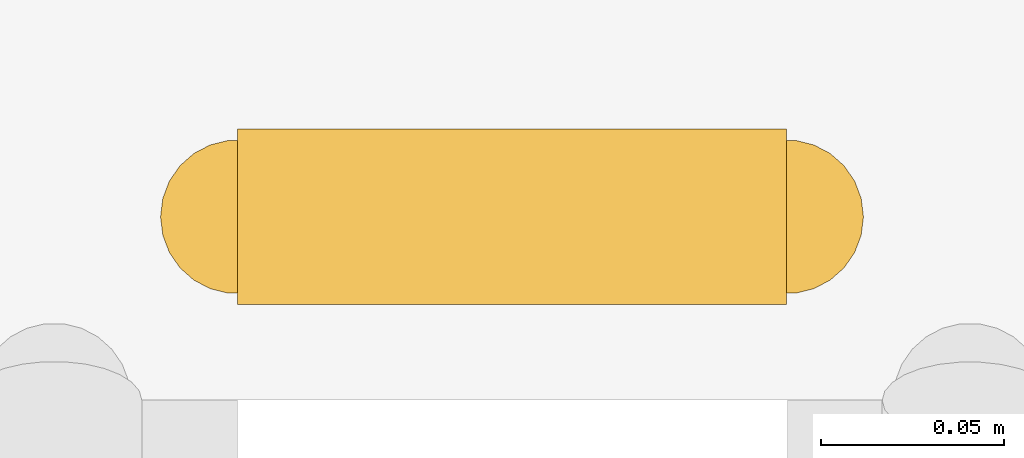
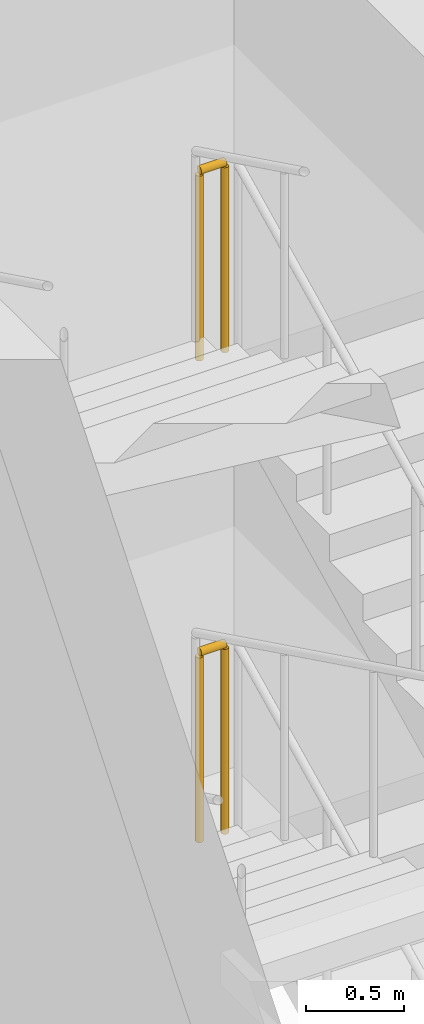
# One storey, part 19 of 20: 2 railings.
"""IFC4 building model written with IfcOpenShell, lengths in metres."""

import ifcopenshell
import ifcopenshell.guid

model = None  # the IFC model being written
_history = None  # IfcOwnerHistory: only IFC2X3 demands one
_inside = {}  # id of a spatial element -> (the spatial element, [elements in it])
_under = {}  # id of a project, library or spatial element -> (it, [spatial elements below it])
_declared = {}  # id of a project -> (the project, [libraries it declares])
_typed = {}  # id of a type object -> (the type object, [elements of that type])
_made_of = {}  # id of a material, layer set ... -> (it, [elements and type objects made of it])


def new_model(schema):
    """Start an empty IFC model of exactly this schema.

    Asked for "IFC4X3", IfcOpenShell would pick the latest addendum, in which some entities
    have other attributes; the version numbers below select the first issue.
    IFC2X3 requires an IfcOwnerHistory on every rooted entity: one is made here for all.
    """
    global model, _history
    if schema == "IFC4X3":
        model = ifcopenshell.file(schema_version=(4, 3, 0, 0))
    else:
        model = ifcopenshell.file(schema=schema)
    _inside.clear()
    _under.clear()
    _declared.clear()
    _typed.clear()
    _made_of.clear()
    _history = None
    if model.schema == "IFC2X3":
        org = make("IfcOrganization", Name="unknown")
        user = make(
            "IfcPersonAndOrganization",
            ThePerson=make("IfcPerson", FamilyName="unknown"),
            TheOrganization=org,
        )
        app = make(
            "IfcApplication",
            ApplicationDeveloper=org,
            Version="unknown",
            ApplicationFullName="unknown",
            ApplicationIdentifier="unknown",
        )
        _history = make(
            "IfcOwnerHistory",
            OwningUser=user,
            OwningApplication=app,
            ChangeAction="ADDED",
            CreationDate=0,
        )
    return model


def make(cls, **values):
    """One entity of the class cls with the attributes given. An attribute that is None is left unset."""
    return model.create_entity(
        cls, **{name: value for name, value in values.items() if value is not None}
    )


def rooted(cls, **values):
    """An entity with a GlobalId (a new one), such as an element, a storey or a relation."""
    return make(cls, GlobalId=ifcopenshell.guid.new(), OwnerHistory=_history, **values)


def si_unit(unit_type, name, prefix=None):
    """IfcSIUnit, for example si_unit("LENGTHUNIT", "METRE", prefix="MILLI")."""
    return make("IfcSIUnit", UnitType=unit_type, Prefix=prefix, Name=name)


def assignment(units):
    """IfcUnitAssignment: the units of a project."""
    return None if units is None else make("IfcUnitAssignment", Units=units)


def point(xyz):
    """IfcCartesianPoint."""
    return None if xyz is None else make("IfcCartesianPoint", Coordinates=xyz)


def direction(xyz):
    """IfcDirection."""
    return None if xyz is None else make("IfcDirection", DirectionRatios=xyz)


def frame(location, z_axis=None, x_axis=None):
    """IfcAxis2Placement3D, a coordinate frame: its origin and axes. An axis left out is left unset."""
    return make(
        "IfcAxis2Placement3D",
        Location=point(location),
        Axis=direction(z_axis),
        RefDirection=direction(x_axis),
    )


def frame_2d(location, x_axis=None):
    """IfcAxis2Placement2D, a coordinate frame in the plane: its origin and x axis."""
    return make(
        "IfcAxis2Placement2D", Location=point(location), RefDirection=direction(x_axis)
    )


def origin():
    """The frame at (0, 0, 0) with its axes left unset."""
    return frame((0.0, 0.0, 0.0))


def origin_2d():
    """The frame at (0, 0) in the plane with its x axis left unset."""
    return frame_2d((0.0, 0.0))


def place(relative_to, where):
    """IfcLocalPlacement: puts the frame where relative to a parent placement (None: the world)."""
    return make(
        "IfcLocalPlacement", PlacementRelTo=relative_to, RelativePlacement=where
    )


def context(
    kind, dimensions, precision=None, world=None, true_north=None, identifier=None
):
    """IfcGeometricRepresentationContext, for example the 3D "Model" context."""
    return make(
        "IfcGeometricRepresentationContext",
        ContextIdentifier=identifier,
        ContextType=kind,
        CoordinateSpaceDimension=dimensions,
        Precision=precision,
        WorldCoordinateSystem=world,
        TrueNorth=true_north,
    )


def subcontext(parent, identifier, kind, view, scale=None):
    """IfcGeometricRepresentationSubContext, for example "Body" below "Model"."""
    return make(
        "IfcGeometricRepresentationSubContext",
        ContextIdentifier=identifier,
        ContextType=kind,
        ParentContext=parent,
        TargetScale=scale,
        TargetView=view,
    )


def project(units=None, contexts=None):
    """IfcProject with its units and contexts."""
    return rooted(
        "IfcProject",
        Name="project",
        RepresentationContexts=contexts,
        UnitsInContext=assignment(units),
    )


def spatial(cls, under=None, at=None, **own):
    """A site, building, storey or space (cls), placed at a placement, below another one or the project."""
    s = rooted(cls, ObjectPlacement=at, **own)
    if under is not None:
        _under.setdefault(under.id(), (under, []))[1].append(s)
    return s


def profile(cls, at=None, kind="AREA", **sizes):
    """A parametric profile (cls). Its sizes go by their IFC names, for example OverallWidth=200.0."""
    return make(cls, ProfileType=kind, Position=at, **sizes)


def circle(**sizes):
    """IfcCircleProfileDef."""
    return profile("IfcCircleProfileDef", **sizes)


def extrude(swept, where, along, depth):
    """IfcExtrudedAreaSolid: the profile swept, set in the frame where, extruded along a direction by depth."""
    return make(
        "IfcExtrudedAreaSolid",
        SweptArea=swept,
        Position=where,
        ExtrudedDirection=direction(along),
        Depth=depth,
    )


def shape(context_of_items, identifier, shape_type, items):
    """IfcShapeRepresentation: the items that make up one representation, for example the "Body"."""
    return make(
        "IfcShapeRepresentation",
        ContextOfItems=context_of_items,
        RepresentationIdentifier=identifier,
        RepresentationType=shape_type,
        Items=items,
    )


def material(Name=None, Category=None):
    """IfcMaterial."""
    return make("IfcMaterial", Name=Name, Category=Category)


def made_of(thing, what):
    """Note that an element or type object is made of a material, layer set ...; save() writes the relation."""
    if what is not None:
        _made_of.setdefault(what.id(), (what, []))[1].append(thing)
    return thing


def type_object(cls, material=None, **own):
    """A type object (cls), such as IfcWallType, which elements share."""
    return made_of(rooted(cls, **own), material)


def element(
    cls,
    number,
    at=None,
    inside=None,
    cuts=None,
    type_object=None,
    material=None,
    context=None,
    identifier="Body",
    shape_type=None,
    held_by="IfcProductDefinitionShape",
    body=None,
    shapes=None,
    **own,
):
    """One element of the class cls, such as IfcWall. Its Tag is "e" and its number.

    at: its placement. inside: the storey or other place that contains it. cuts: it is an
    opening in that element (IfcRelVoidsElement). A single representation is given by context,
    identifier, shape_type and body (its items); several are given by shapes. held_by: the class
    of the entity that holds the representations. save() writes the other relations.
    """
    e = rooted(cls, Tag="e%d" % number, ObjectPlacement=at, **own)
    if body is not None:
        shapes = [shape(context, identifier, shape_type, body)]
    if shapes is not None:
        e.Representation = make(held_by, Representations=shapes)
    if inside is not None:
        _inside.setdefault(inside.id(), (inside, []))[1].append(e)
    if cuts is not None:
        rooted(
            "IfcRelVoidsElement", RelatingBuildingElement=cuts, RelatedOpeningElement=e
        )
    if type_object is not None:
        _typed.setdefault(type_object.id(), (type_object, []))[1].append(e)
    return made_of(e, material)


def aggregate(whole, parts):
    """IfcRelAggregates: a whole, such as a stair, and the parts it consists of."""
    return rooted("IfcRelAggregates", RelatingObject=whole, RelatedObjects=parts)


def save(model, path):
    """Write the relations noted so far, then the file.

    IfcRelAggregates (storeys below a building ...), IfcRelContainedInSpatialStructure (elements
    in a storey), IfcRelDefinesByType, IfcRelAssociatesMaterial and IfcRelDeclares: one each for
    every whole, place, type object, material and project.
    """
    for whole, parts in _under.values():
        aggregate(whole, parts)
    for where, things in _inside.values():
        rooted(
            "IfcRelContainedInSpatialStructure",
            RelatedElements=things,
            RelatingStructure=where,
        )
    for kind, things in _typed.values():
        rooted("IfcRelDefinesByType", RelatedObjects=things, RelatingType=kind)
    for what, things in _made_of.values():
        rooted("IfcRelAssociatesMaterial", RelatedObjects=things, RelatingMaterial=what)
    for by, libraries in _declared.values():
        rooted("IfcRelDeclares", RelatingContext=by, RelatedDefinitions=libraries)
    model.write(path)


model = new_model("IFC4")

# Units and contexts
model_context = context("Model", 3, precision=1e-05, world=origin(), true_north=direction((0.0, 1.0)))
body_context = subcontext(model_context, "Body", "Model", "MODEL_VIEW")
ifc_project = project(units=[si_unit("LENGTHUNIT", "METRE"), si_unit("AREAUNIT", "SQUARE_METRE"), si_unit("VOLUMEUNIT", "CUBIC_METRE"), si_unit("PLANEANGLEUNIT", "RADIAN"), si_unit("MASSUNIT", "GRAM", prefix="KILO")], contexts=[model_context])

# Site, building, storey
site_placement = place(None, origin())
site = spatial("IfcSite", under=ifc_project, at=site_placement, CompositionType="ELEMENT")
building_placement = place(site_placement, origin())
building = spatial("IfcBuilding", under=site, at=building_placement, Name="Dongbaek Canopy Tower", CompositionType="ELEMENT")
storey_placement = place(building_placement, frame((0.0, 0.0, 353.0)))
storey = spatial("IfcBuildingStorey", under=building, at=storey_placement, Name="L76", CompositionType="ELEMENT", Elevation=353.0)

# Railings
ifc_material = material(Name="Stainless steel tube and balusters", Category="steel")
railing_type = type_object("IfcRailingType", Name="Stair guard 1200", PredefinedType="GUARDRAIL", material=ifc_material)
for number, where, name in (
    (1, (11.39990234375, 7.469970703125, 1.5), "L76 ST-A stair guard 2"),
    (2, (11.39990234375, 7.469970703125, 4.5), "L76 ST-A stair guard 6"),
):
    element("IfcRailing", number, at=place(storey_placement, frame(where)), inside=storey, type_object=railing_type, Name=name, PredefinedType="GUARDRAIL", context=body_context, shape_type="SweptSolid", body=[
        extrude(circle(Radius=0.02392578125, at=origin_2d()), frame((0.0, 0.0, 1.17578125), z_axis=(-1.0, 0.0, 0.0), x_axis=(0.0, -1.0, 0.0)), (0.0, 0.0, 1.0), 0.14990234375),
        extrude(circle(Radius=0.02099609375, at=origin_2d()), origin(), (0.0, 0.0, 1.0), 1.15185546875),
        extrude(circle(Radius=0.02099609375, at=origin_2d()), frame((-0.14990234375, 0.0, 0.0)), (0.0, 0.0, 1.0), 1.15185546875),
    ])

save(model, "model.ifc")
